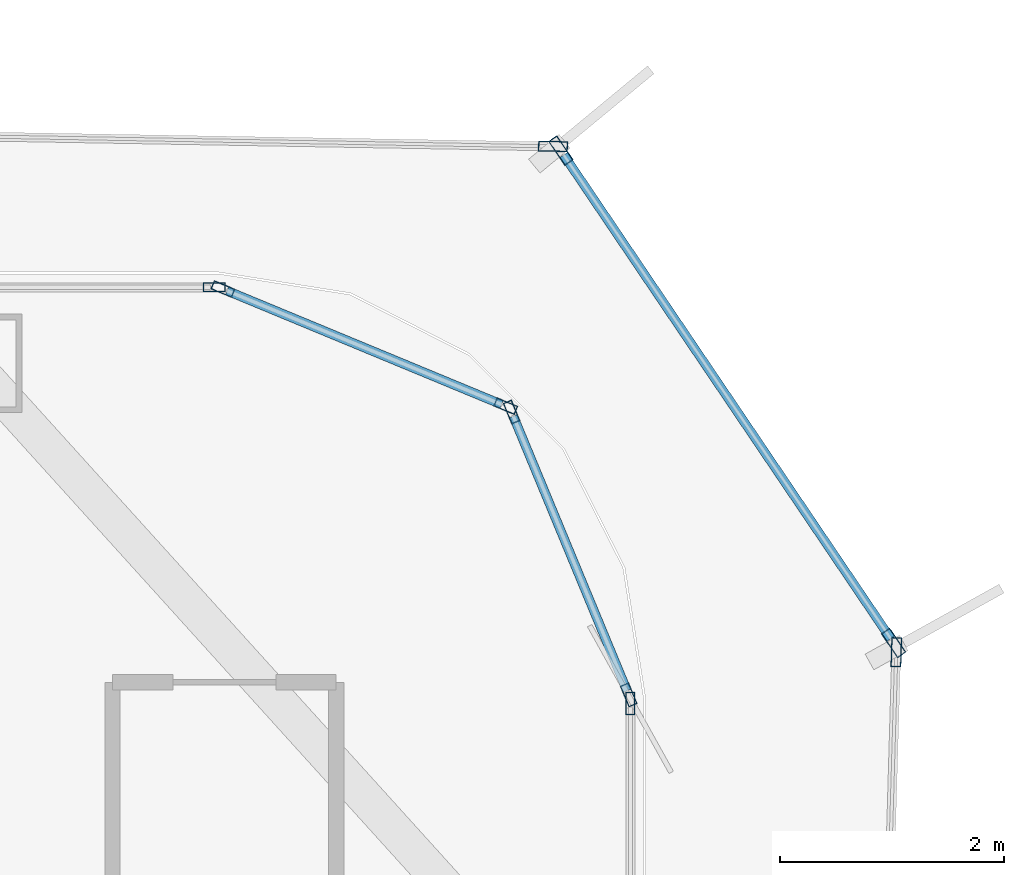
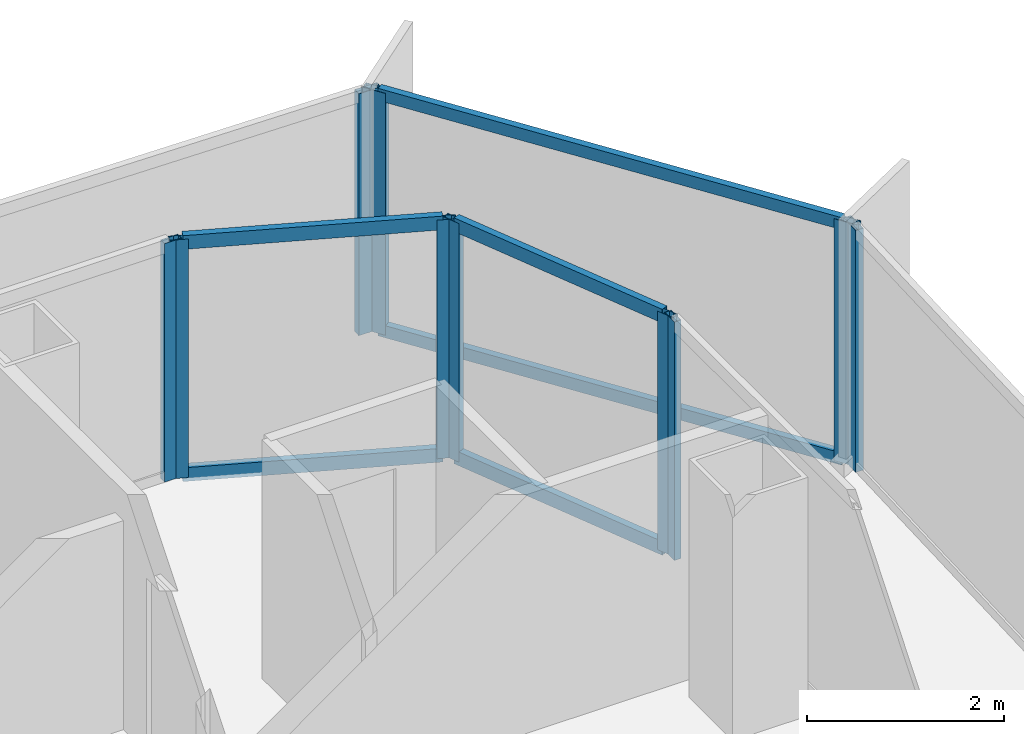
# One storey, part 14 of 21: 16 members, 7 elements without a shape of their own.
"""IFC4 building model written with IfcOpenShell, lengths in metres."""

from ifc_helpers import new_model, si_unit, direction, frame, origin, origin_2d, place, context, subcontext, project, spatial, hollow_rectangle, extrude, source, transform, mapped, material, layer, layer_set, material_profile, profile_set, type_object, element, aggregate, save


model = new_model("IFC4")

# Units and contexts
model_context = context("Model", 3, precision=1e-05, world=origin(), true_north=direction((0.0, 1.0)))
body_context = subcontext(model_context, "Body", "Model", "MODEL_VIEW")
ifc_project = project(units=[si_unit("LENGTHUNIT", "METRE"), si_unit("AREAUNIT", "SQUARE_METRE"), si_unit("VOLUMEUNIT", "CUBIC_METRE"), si_unit("PLANEANGLEUNIT", "RADIAN"), si_unit("MASSUNIT", "GRAM", prefix="KILO")], contexts=[model_context])

# Site, building, storey
site_placement = place(None, origin())
site = spatial("IfcSite", under=ifc_project, at=site_placement, CompositionType="ELEMENT")
building_placement = place(site_placement, origin())
building = spatial("IfcBuilding", under=site, at=building_placement, Name="Kolveth Station Tower", CompositionType="ELEMENT")
storey_placement = place(building_placement, frame((0.0, 0.0, 108.699951171875)))
storey = spatial("IfcBuildingStorey", under=building, at=storey_placement, Name="L29", CompositionType="ELEMENT", Elevation=108.699951171875)

# Curtain wall, member
ifc_material_1 = material(Name="Aluminium 6063-T6 and low-E dark glass", Category="aluminium")
ifc_layer_1 = layer(ifc_material_1, 0.18994140625)
ifc_layer_set_1 = layer_set([ifc_layer_1], Name="Aluminium 6063-T6 and low-E dark glass")
curtain_wall_type_1 = type_object("IfcCurtainWallType", Name="CurtainWall_CW-Z2", PredefinedType="NOTDEFINED", material=ifc_layer_set_1)
curtain_wall_1_placement = place(storey_placement, origin())
curtain_wall_1 = element("IfcCurtainWall", 1, at=curtain_wall_1_placement, inside=storey, type_object=curtain_wall_type_1, Name="L29 Inner Thermal Curtain Wall 3", PredefinedType="NOTDEFINED")
ifc_material_2 = material(Name="Black anodized aluminium 6063-T6", Category="aluminium")
ifc_material_profile_1 = material_profile(ifc_material_2, hollow_rectangle(XDim=0.080078125, YDim=0.199951171875, WallThickness=0.0048828125, at=origin_2d()), Name="ALU-80x200x5")
ifc_profile_set_1 = profile_set([ifc_material_profile_1], Name="Black anodized aluminium 6063-T6")
member_type_1 = type_object("IfcMemberType", Name="Mullion_ML2", PredefinedType="MULLION", material=ifc_profile_set_1)
shared_shape_1 = source(origin(), body_context, "Body", "SweptSolid", [
    extrude(hollow_rectangle(XDim=0.080078125, YDim=0.199951171875, WallThickness=0.0048828125, at=origin_2d()), origin(), (0.0, 0.0, 1.0), 2.949951171875),
])
member_1_placement = place(storey_placement, frame((46.8798828125, 31.4599609375, 0.0), z_axis=(0.0, 0.0, 1.0), x_axis=(-1.0, 0.0, 0.0)))
member_1 = element("IfcMember", 2, at=member_1_placement, type_object=member_type_1, Name="CW-Z2 mullion 2", PredefinedType="MULLION", context=body_context, shape_type="MappedRepresentation", body=[
    mapped(shared_shape_1, transform((0.0, 0.0, 0.0), x_axis=(1.0, 0.0, 0.0), y_axis=(0.0, 1.0, 0.0), z_axis=(0.0, 0.0, 1.0), scale=1.0)),
])
aggregate(curtain_wall_1, [member_1])

# Curtain wall, members
curtain_wall_2_placement = place(storey_placement, origin())
curtain_wall_2 = element("IfcCurtainWall", 3, at=curtain_wall_2_placement, inside=storey, type_object=curtain_wall_type_1, Name="L29 Inner Thermal Curtain Wall 4", PredefinedType="NOTDEFINED")
member_2_placement = place(storey_placement, frame((46.86474609375, 31.536865234375, 0.0), z_axis=(0.0, 0.0, 1.0), x_axis=(-0.923887883787, -0.38266326998, 0.0)))
member_2 = element("IfcMember", 4, at=member_2_placement, type_object=member_type_1, Name="CW-Z2 mullion 1", PredefinedType="MULLION", context=body_context, shape_type="MappedRepresentation", body=[
    mapped(shared_shape_1, transform((0.0, 0.0, 0.0), x_axis=(1.0, 0.0, 0.0), y_axis=(0.0, 1.0, 0.0), z_axis=(0.0, 0.0, 1.0), scale=1.0)),
])
member_3_placement = place(storey_placement, frame((45.817626953125, 34.065185546875, 0.0), z_axis=(0.0, 0.0, 1.0), x_axis=(-0.923887883787, -0.38266326998, 0.0)))
member_3 = element("IfcMember", 5, at=member_3_placement, type_object=member_type_1, Name="CW-Z2 mullion 2", PredefinedType="MULLION", context=body_context, shape_type="MappedRepresentation", body=[
    mapped(shared_shape_1, transform((0.0, 0.0, 0.0), x_axis=(1.0, 0.0, 0.0), y_axis=(0.0, 1.0, 0.0), z_axis=(0.0, 0.0, 1.0), scale=1.0)),
])

curtain_wall_3_placement = place(storey_placement, origin())
curtain_wall_3 = element("IfcCurtainWall", 6, at=curtain_wall_3_placement, inside=storey, type_object=curtain_wall_type_1, Name="L29 Inner Thermal Curtain Wall 5", PredefinedType="NOTDEFINED")
member_4_placement = place(storey_placement, frame((45.76513671875, 34.117431640625, 0.0), z_axis=(0.0, 0.0, 1.0), x_axis=(-0.38266326998, -0.923887883787, 0.0)))
member_4 = element("IfcMember", 7, at=member_4_placement, type_object=member_type_1, Name="CW-Z2 mullion 1", PredefinedType="MULLION", context=body_context, shape_type="MappedRepresentation", body=[
    mapped(shared_shape_1, transform((0.0, 0.0, 0.0), x_axis=(1.0, 0.0, 0.0), y_axis=(0.0, 1.0, 0.0), z_axis=(0.0, 0.0, 1.0), scale=1.0)),
])
member_5_placement = place(storey_placement, frame((43.237060546875, 35.164794921875, 0.0), z_axis=(0.0, 0.0, 1.0), x_axis=(-0.38266326998, -0.923887883787, 0.0)))
member_5 = element("IfcMember", 8, at=member_5_placement, type_object=member_type_1, Name="CW-Z2 mullion 2", PredefinedType="MULLION", context=body_context, shape_type="MappedRepresentation", body=[
    mapped(shared_shape_1, transform((0.0, 0.0, 0.0), x_axis=(1.0, 0.0, 0.0), y_axis=(0.0, 1.0, 0.0), z_axis=(0.0, 0.0, 1.0), scale=1.0)),
])

# Curtain wall, member
curtain_wall_4_placement = place(storey_placement, origin())
curtain_wall_4 = element("IfcCurtainWall", 9, at=curtain_wall_4_placement, inside=storey, type_object=curtain_wall_type_1, Name="L29 Inner Thermal Curtain Wall 6", PredefinedType="NOTDEFINED")
member_6_placement = place(storey_placement, frame((43.159912109375, 35.179931640625, 0.0), z_axis=(0.0, 0.0, 1.0), x_axis=(0.0, -1.0, 0.0)))
member_6 = element("IfcMember", 10, at=member_6_placement, type_object=member_type_1, Name="CW-Z2 mullion 1", PredefinedType="MULLION", context=body_context, shape_type="MappedRepresentation", body=[
    mapped(shared_shape_1, transform((0.0, 0.0, 0.0), x_axis=(1.0, 0.0, 0.0), y_axis=(0.0, 1.0, 0.0), z_axis=(0.0, 0.0, 1.0), scale=1.0)),
])
aggregate(curtain_wall_4, [member_6])

# Member
ifc_material_profile_2 = material_profile(ifc_material_2, hollow_rectangle(XDim=0.080078125, YDim=0.169921875, WallThickness=0.0048828125, at=origin_2d()), Name="ALU-80x170x5")
ifc_profile_set_2 = profile_set([ifc_material_profile_2], Name="Black anodized aluminium 6063-T6")
member_type_2 = type_object("IfcMemberType", Name="Transom_TR2", PredefinedType="USERDEFINED", material=ifc_profile_set_2)
shared_shape_2 = source(origin(), body_context, "Body", "SweptSolid", [
    extrude(hollow_rectangle(XDim=0.080078125, YDim=0.169921875, WallThickness=0.0048828125, at=origin_2d()), origin(), (0.0, 0.0, 1.0), 2.656494140625),
])
member_7_placement = place(storey_placement, frame((46.849365234375, 31.573974609375, 0.0400390625), z_axis=(-0.382676455475, 0.923882422403, 0.0), x_axis=(-0.923882422403, -0.382676455475, 0.0)))
member_7 = element("IfcMember", 11, at=member_7_placement, type_object=member_type_2, Name="CW-Z2 transom 1.1", ObjectType="TRANSOM", PredefinedType="USERDEFINED", context=body_context, shape_type="MappedRepresentation", body=[
    mapped(shared_shape_2, transform((0.0, 0.0, 0.0), x_axis=(1.0, 0.0, 0.0), y_axis=(0.0, 1.0, 0.0), z_axis=(0.0, 0.0, 1.0), scale=1.0)),
])

member_8_placement = place(storey_placement, frame((46.849365234375, 31.573974609375, 2.91015625), z_axis=(-0.382676455475, 0.923882422403, 0.0), x_axis=(-0.923882422403, -0.382676455475, 0.0)))
member_8 = element("IfcMember", 12, at=member_8_placement, type_object=member_type_2, Name="CW-Z2 transom 1.2", ObjectType="TRANSOM", PredefinedType="USERDEFINED", context=body_context, shape_type="MappedRepresentation", body=[
    mapped(shared_shape_2, transform((0.0, 0.0, 0.0), x_axis=(1.0, 0.0, 0.0), y_axis=(0.0, 1.0, 0.0), z_axis=(0.0, 0.0, 1.0), scale=1.0)),
])

aggregate(curtain_wall_2, [member_2, member_3, member_7, member_8])

member_9_placement = place(storey_placement, frame((45.728271484375, 34.1328125, 0.0400390625), z_axis=(-0.923882422403, 0.382676455475, 0.0), x_axis=(-0.382676455475, -0.923882422403, 0.0)))
member_9 = element("IfcMember", 13, at=member_9_placement, type_object=member_type_2, Name="CW-Z2 transom 1.1", ObjectType="TRANSOM", PredefinedType="USERDEFINED", context=body_context, shape_type="MappedRepresentation", body=[
    mapped(shared_shape_2, transform((0.0, 0.0, 0.0), x_axis=(1.0, 0.0, 0.0), y_axis=(0.0, 1.0, 0.0), z_axis=(0.0, 0.0, 1.0), scale=1.0)),
])

member_10_placement = place(storey_placement, frame((45.728271484375, 34.1328125, 2.91015625), z_axis=(-0.923882422403, 0.382676455475, 0.0), x_axis=(-0.382676455475, -0.923882422403, 0.0)))
member_10 = element("IfcMember", 14, at=member_10_placement, type_object=member_type_2, Name="CW-Z2 transom 1.2", ObjectType="TRANSOM", PredefinedType="USERDEFINED", context=body_context, shape_type="MappedRepresentation", body=[
    mapped(shared_shape_2, transform((0.0, 0.0, 0.0), x_axis=(1.0, 0.0, 0.0), y_axis=(0.0, 1.0, 0.0), z_axis=(0.0, 0.0, 1.0), scale=1.0)),
])

aggregate(curtain_wall_3, [member_4, member_5, member_9, member_10])

# Curtain wall, member
ifc_material_3 = material(Name="Black anodized aluminium 6063-T6 and dark solar glass", Category="aluminium")
ifc_layer_2 = layer(ifc_material_3, 0.159912109375)
ifc_layer_set_2 = layer_set([ifc_layer_2], Name="Black anodized aluminium 6063-T6 and dark solar glass")
curtain_wall_type_2 = type_object("IfcCurtainWallType", Name="OUTER SKIN CW-OS", PredefinedType="NOTDEFINED", material=ifc_layer_set_2)
curtain_wall_5_placement = place(storey_placement, origin())
curtain_wall_5 = element("IfcCurtainWall", 15, at=curtain_wall_5_placement, inside=storey, type_object=curtain_wall_type_2, Name="L29 Outer Ventilated Skin Curtain Wall 2", PredefinedType="NOTDEFINED")
ifc_material_profile_3 = material_profile(ifc_material_2, hollow_rectangle(XDim=0.090087890625, YDim=0.260009765625, WallThickness=0.0048828125, at=origin_2d()), Name="ALU-90x260x5")
ifc_profile_set_3 = profile_set([ifc_material_profile_3], Name="Black anodized aluminium 6063-T6")
member_type_3 = type_object("IfcMemberType", Name="FIN MULLION ML-OS", PredefinedType="MULLION", material=ifc_profile_set_3)
shared_shape_3 = source(origin(), body_context, "Body", "SweptSolid", [
    extrude(hollow_rectangle(XDim=0.090087890625, YDim=0.260009765625, WallThickness=0.0048828125, at=origin_2d()), origin(), (0.0, 0.0, 1.0), 2.989990234375),
])
member_11_placement = place(storey_placement, frame((49.25634765625, 31.919189453125, 0.0), z_axis=(0.0, 0.0, 1.0), x_axis=(-0.999574781457, 0.029159154238, 0.0)))
member_11 = element("IfcMember", 16, at=member_11_placement, type_object=member_type_3, Name="CW-OS mullion 2", PredefinedType="MULLION", context=body_context, shape_type="MappedRepresentation", body=[
    mapped(shared_shape_3, transform((0.0, 0.0, 0.0), x_axis=(1.0, 0.0, 0.0), y_axis=(0.0, 1.0, 0.0), z_axis=(0.0, 0.0, 1.0), scale=1.0)),
])
aggregate(curtain_wall_5, [member_11])

# Curtain wall, members
curtain_wall_6_placement = place(storey_placement, origin())
curtain_wall_6 = element("IfcCurtainWall", 17, at=curtain_wall_6_placement, inside=storey, type_object=curtain_wall_type_2, Name="L29 Outer Ventilated Skin Curtain Wall 3", PredefinedType="NOTDEFINED")
member_12_placement = place(storey_placement, frame((49.232421875, 32.00146484375, 0.0), z_axis=(0.0, 0.0, 1.0), x_axis=(-0.828469870916, -0.560033635583, 0.0)))
member_12 = element("IfcMember", 18, at=member_12_placement, type_object=member_type_3, Name="CW-OS mullion 1", PredefinedType="MULLION", context=body_context, shape_type="MappedRepresentation", body=[
    mapped(shared_shape_3, transform((0.0, 0.0, 0.0), x_axis=(1.0, 0.0, 0.0), y_axis=(0.0, 1.0, 0.0), z_axis=(0.0, 0.0, 1.0), scale=1.0)),
])
member_13_placement = place(storey_placement, frame((46.258056640625, 36.401611328125, 0.0), z_axis=(0.0, 0.0, 1.0), x_axis=(-0.828469870916, -0.560033635583, 0.0)))
member_13 = element("IfcMember", 19, at=member_13_placement, type_object=member_type_3, Name="CW-OS mullion 2", PredefinedType="MULLION", context=body_context, shape_type="MappedRepresentation", body=[
    mapped(shared_shape_3, transform((0.0, 0.0, 0.0), x_axis=(1.0, 0.0, 0.0), y_axis=(0.0, 1.0, 0.0), z_axis=(0.0, 0.0, 1.0), scale=1.0)),
])

# Curtain wall, member
curtain_wall_7_placement = place(storey_placement, origin())
curtain_wall_7 = element("IfcCurtainWall", 20, at=curtain_wall_7_placement, inside=storey, type_object=curtain_wall_type_2, Name="L29 Outer Ventilated Skin Curtain Wall 4", PredefinedType="NOTDEFINED")
member_14_placement = place(storey_placement, frame((46.187744140625, 36.439697265625, 0.0), z_axis=(0.0, 0.0, 1.0), x_axis=(-0.017337734418, -0.999849690186, 0.0)))
member_14 = element("IfcMember", 21, at=member_14_placement, type_object=member_type_3, Name="CW-OS mullion 1", PredefinedType="MULLION", context=body_context, shape_type="MappedRepresentation", body=[
    mapped(shared_shape_3, transform((0.0, 0.0, 0.0), x_axis=(1.0, 0.0, 0.0), y_axis=(0.0, 1.0, 0.0), z_axis=(0.0, 0.0, 1.0), scale=1.0)),
])
aggregate(curtain_wall_7, [member_14])

# Member
ifc_material_profile_4 = material_profile(ifc_material_2, hollow_rectangle(XDim=0.080078125, YDim=0.14990234375, WallThickness=0.0048828125, at=origin_2d()), Name="ALU-80x150x5")
ifc_profile_set_4 = profile_set([ifc_material_profile_4], Name="Black anodized aluminium 6063-T6")
member_type_4 = type_object("IfcMemberType", Name="Transom_TR-OS", PredefinedType="USERDEFINED", material=ifc_profile_set_4)
shared_shape_4 = source(origin(), body_context, "Body", "SweptSolid", [
    extrude(hollow_rectangle(XDim=0.080078125, YDim=0.14990234375, WallThickness=0.0048828125, at=origin_2d()), origin(), (0.0, 0.0, 1.0), 5.22119140625),
])
member_15_placement = place(storey_placement, frame((49.207275390625, 32.03857421875, 0.0400390625), z_axis=(-0.5600300596, 0.828472288218, 0.0), x_axis=(-0.828472288218, -0.5600300596, 0.0)))
member_15 = element("IfcMember", 22, at=member_15_placement, type_object=member_type_4, Name="CW-OS transom 1.1", ObjectType="TRANSOM", PredefinedType="USERDEFINED", context=body_context, shape_type="MappedRepresentation", body=[
    mapped(shared_shape_4, transform((0.0, 0.0, 0.0), x_axis=(1.0, 0.0, 0.0), y_axis=(0.0, 1.0, 0.0), z_axis=(0.0, 0.0, 1.0), scale=1.0)),
])

member_16_placement = place(storey_placement, frame((49.207275390625, 32.03857421875, 2.949951171875), z_axis=(-0.5600300596, 0.828472288218, 0.0), x_axis=(-0.828472288218, -0.5600300596, 0.0)))
member_16 = element("IfcMember", 23, at=member_16_placement, type_object=member_type_4, Name="CW-OS transom 1.2", ObjectType="TRANSOM", PredefinedType="USERDEFINED", context=body_context, shape_type="MappedRepresentation", body=[
    mapped(shared_shape_4, transform((0.0, 0.0, 0.0), x_axis=(1.0, 0.0, 0.0), y_axis=(0.0, 1.0, 0.0), z_axis=(0.0, 0.0, 1.0), scale=1.0)),
])

aggregate(curtain_wall_6, [member_12, member_13, member_15, member_16])

save(model, "model.ifc")
